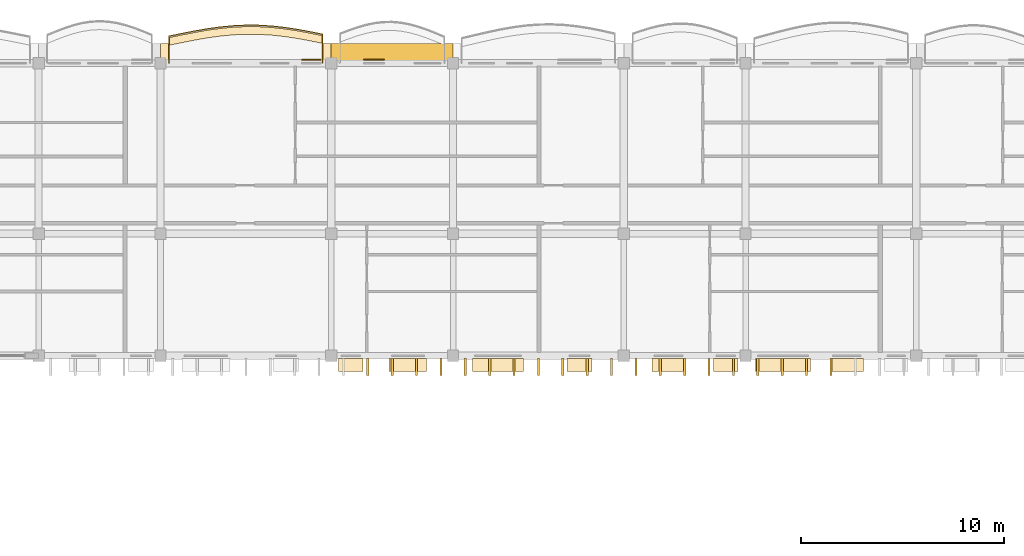
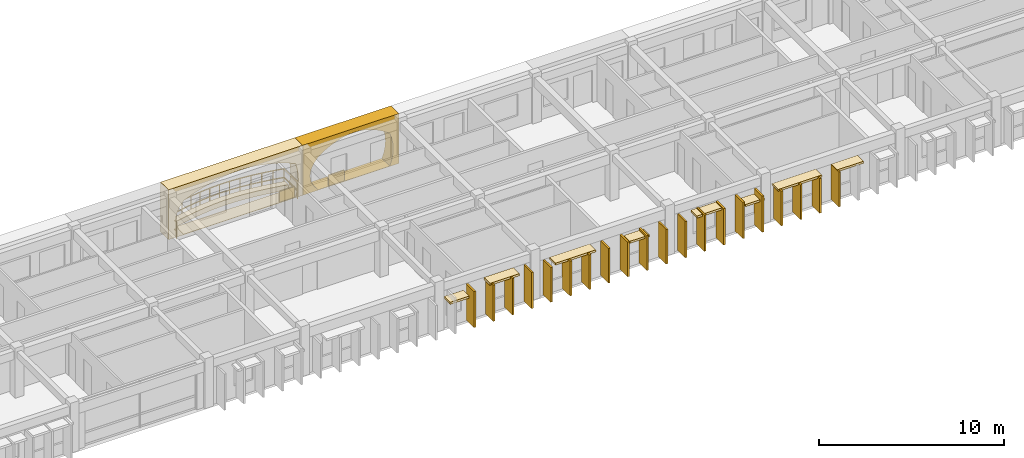
# One storey, part 59 of 68: 33 coverings, 1 railing.
"""IFC4 building model written with IfcOpenShell, lengths in metres."""

from ifc_helpers import new_model, si_unit, direction, frame, origin, origin_2d, place, context, subcontext, project, spatial, polyline, rectangle, outline, extrude, material, layer, layer_set, type_object, element, save


model = new_model("IFC4")

# Units and contexts
model_context = context("Model", 3, precision=1e-05, world=origin(), true_north=direction((0.0, 1.0)))
body_context = subcontext(model_context, "Body", "Model", "MODEL_VIEW")
ifc_project = project(units=[si_unit("LENGTHUNIT", "METRE"), si_unit("AREAUNIT", "SQUARE_METRE"), si_unit("VOLUMEUNIT", "CUBIC_METRE"), si_unit("PLANEANGLEUNIT", "RADIAN"), si_unit("MASSUNIT", "GRAM", prefix="KILO"), si_unit("THERMODYNAMICTEMPERATUREUNIT", "KELVIN")], contexts=[model_context])

# Site, building, storey
site_placement = place(None, origin())
site = spatial("IfcSite", under=ifc_project, at=site_placement, CompositionType="ELEMENT")
building_placement = place(site_placement, origin())
building = spatial("IfcBuilding", under=site, at=building_placement, Name="Thalorik Housing Commons", CompositionType="ELEMENT")
storey_placement = place(building_placement, frame((0.0, 0.0, 24.60009765625)))
storey = spatial("IfcBuildingStorey", under=building, at=storey_placement, Name="L07", CompositionType="ELEMENT", Elevation=24.60009765625)

# Coverings
ifc_material_1 = material(Name="Precast concrete C40/50", Category="concrete")
ifc_layer_1 = layer(ifc_material_1, 0.85009765625, Name="Precast concrete C40/50", Category="concrete")
ifc_layer_set_1 = layer_set([ifc_layer_1], Name="Precast concrete C40/50")
covering_type_1 = type_object("IfcCoveringType", Name="ARC-CLD-CUSH-850", PredefinedType="CLADDING", material=ifc_layer_set_1)
covering_1_placement = place(storey_placement, frame((112.199951171875, 124.155029296875, 0.0), z_axis=(0.0, 0.0, 1.0), x_axis=(-1.0, 0.0, 0.0)))
element("IfcCovering", 1, at=covering_1_placement, inside=storey, type_object=covering_type_1, Name="L07 White Precast Curved Cushion Bay Frame 2569", PredefinedType="CLADDING", context=body_context, shape_type="SweptSolid", body=[
    extrude(outline(polyline([(-3.0, 0.0), (3.0, 0.0), (3.0, 3.300048828125), (-3.0, 3.300048828125), (-3.0, 0.0)]), holes=[polyline([(2.0400390625, 0.02490234375), (2.3232421875, 0.387451171875), (2.493408203125, 0.75), (2.550048828125, 1.112548828125), (2.493408203125, 1.47509765625), (2.3232421875, 1.83740234375), (2.0400390625, 2.199951171875), (1.66748046875, 2.455810546875), (1.294921875, 2.656494140625), (0.922607421875, 2.819091796875), (0.550048828125, 2.940185546875), (0.177490234375, 3.014892578125), (-0.195068359375, 3.0400390625), (-0.5673828125, 3.014892578125), (-0.93994140625, 2.940185546875), (-1.3125, 2.819091796875), (-1.68505859375, 2.656494140625), (-2.0576171875, 2.455810546875), (-2.429931640625, 2.199951171875), (-2.55029296875, 1.83740234375), (-2.62255859375, 1.47509765625), (-2.646484375, 1.112548828125), (-2.62255859375, 0.75), (-2.55029296875, 0.387451171875), (-2.429931640625, 0.02490234375), (2.0400390625, 0.02490234375)])]), frame((0.0, 0.425048828125, 0.0), z_axis=(0.0, -1.0, 0.0), x_axis=(1.0, 0.0, 0.0)), (0.0, 0.0, 1.0), 0.85009765625),
])
covering_2_placement = place(storey_placement, frame((105.0, 124.155029296875, 0.0), z_axis=(0.0, 0.0, 1.0), x_axis=(-1.0, 0.0, 0.0)))
element("IfcCovering", 2, at=covering_2_placement, inside=storey, type_object=covering_type_1, Name="L07 White Precast Curved Cushion Bay Frame 2571", PredefinedType="CLADDING", context=body_context, shape_type="SweptSolid", body=[
    extrude(outline(polyline([(-4.199951171875, 0.0), (4.199951171875, 0.0), (4.199951171875, 3.300048828125), (-4.199951171875, 3.300048828125), (-4.199951171875, 0.0)]), holes=[polyline([(3.239990234375, 0.02490234375), (3.523193359375, 0.3974609375), (3.693359375, 0.77001953125), (3.75, 1.142578125), (3.693359375, 1.514892578125), (3.523193359375, 1.887451171875), (3.239990234375, 2.260009765625), (2.65771484375, 2.497314453125), (2.07568359375, 2.683837890625), (1.493408203125, 2.8349609375), (0.911376953125, 2.947265625), (0.3291015625, 3.0166015625), (-0.253173828125, 3.0400390625), (-0.835205078125, 3.0166015625), (-1.41748046875, 2.947265625), (-1.99951171875, 2.8349609375), (-2.581787109375, 2.683837890625), (-3.1640625, 2.497314453125), (-3.74609375, 2.260009765625), (-3.842041015625, 1.887451171875), (-3.8994140625, 1.514892578125), (-3.918701171875, 1.142578125), (-3.8994140625, 0.77001953125), (-3.842041015625, 0.3974609375), (-3.74609375, 0.02490234375), (3.239990234375, 0.02490234375)])]), frame((0.0, 0.425048828125, 0.0), z_axis=(0.0, -1.0, 0.0), x_axis=(1.0, 0.0, 0.0)), (0.0, 0.0, 1.0), 0.85009765625),
])
ifc_layer_2 = layer(ifc_material_1, 0.85009765625, Name="Precast concrete C40/50", Category="concrete")
ifc_layer_set_2 = layer_set([ifc_layer_2], Name="Precast concrete C40/50")
covering_type_2 = type_object("IfcCoveringType", Name="ARC-CLD-FIN-850", PredefinedType="CLADDING", material=ifc_layer_set_2)
for number, where, z_axis, x_axis, name in (
    (3, (111.0, 108.64501953125, 0.039794921875), (0.0, 0.0, 1.0), (1.0, 0.0, 0.0), "L07 Courtyard Precast Vertical Brise-Soleil Fin 2613"),
    (4, (112.199951171875, 108.64501953125, 0.039794921875), (0.0, 0.0, 1.0), (1.0, 0.0, 0.0), "L07 Courtyard Precast Vertical Brise-Soleil Fin 2614"),
    (5, (113.39990234375, 108.64501953125, 0.039794921875), (0.0, 0.0, 1.0), (1.0, 0.0, 0.0), "L07 Courtyard Precast Vertical Brise-Soleil Fin 2615"),
    (6, (114.60009765625, 108.64501953125, 0.039794921875), (0.0, 0.0, 1.0), (1.0, 0.0, 0.0), "L07 Courtyard Precast Vertical Brise-Soleil Fin 2616"),
):
    element("IfcCovering", number, at=place(storey_placement, frame(where, z_axis=z_axis, x_axis=x_axis)), inside=storey, type_object=covering_type_2, Name=name, PredefinedType="CLADDING", context=body_context, shape_type="SweptSolid", body=[
        extrude(rectangle(XDim=0.110107421875, YDim=0.85009765625, at=origin_2d()), origin(), (0.0, 0.0, 1.0), 2.39501953125),
    ])
for number, where, z_axis, x_axis, name in (
    (7, (115.800048828125, 108.64501953125, 0.0400390625), (0.0, 0.0, 1.0), (1.0, 0.0, 0.0), "L07 Courtyard Precast Vertical Brise-Soleil Fin 2619"),
    (8, (117.0, 108.64501953125, 0.0400390625), (0.0, 0.0, 1.0), (1.0, 0.0, 0.0), "L07 Courtyard Precast Vertical Brise-Soleil Fin 2620"),
    (9, (118.199951171875, 108.64501953125, 0.0400390625), (0.0, 0.0, 1.0), (1.0, 0.0, 0.0), "L07 Courtyard Precast Vertical Brise-Soleil Fin 2621"),
    (10, (119.39990234375, 108.64501953125, 0.0400390625), (0.0, 0.0, 1.0), (1.0, 0.0, 0.0), "L07 Courtyard Precast Vertical Brise-Soleil Fin 2622"),
    (11, (120.60009765625, 108.64501953125, 0.0400390625), (0.0, 0.0, 1.0), (1.0, 0.0, 0.0), "L07 Courtyard Precast Vertical Brise-Soleil Fin 2623"),
    (12, (121.800048828125, 108.64501953125, 0.0400390625), (0.0, 0.0, 1.0), (1.0, 0.0, 0.0), "L07 Courtyard Precast Vertical Brise-Soleil Fin 2624"),
    (13, (123.0, 108.64501953125, 0.0400390625), (0.0, 0.0, 1.0), (1.0, 0.0, 0.0), "L07 Courtyard Precast Vertical Brise-Soleil Fin 2625"),
):
    element("IfcCovering", number, at=place(storey_placement, frame(where, z_axis=z_axis, x_axis=x_axis)), inside=storey, type_object=covering_type_2, Name=name, PredefinedType="CLADDING", context=body_context, shape_type="SweptSolid", body=[
        extrude(rectangle(XDim=0.110107421875, YDim=0.85009765625, at=origin_2d()), origin(), (0.0, 0.0, 1.0), 2.294921875),
    ])
for number, where, z_axis, x_axis, name in (
    (14, (124.199951171875, 108.64501953125, 0.039794921875), (0.0, 0.0, 1.0), (1.0, 0.0, 0.0), "L07 Courtyard Precast Vertical Brise-Soleil Fin 2628"),
    (15, (125.39990234375, 108.64501953125, 0.039794921875), (0.0, 0.0, 1.0), (1.0, 0.0, 0.0), "L07 Courtyard Precast Vertical Brise-Soleil Fin 2629"),
    (16, (126.60009765625, 108.64501953125, 0.039794921875), (0.0, 0.0, 1.0), (1.0, 0.0, 0.0), "L07 Courtyard Precast Vertical Brise-Soleil Fin 2630"),
    (17, (127.800048828125, 108.64501953125, 0.039794921875), (0.0, 0.0, 1.0), (1.0, 0.0, 0.0), "L07 Courtyard Precast Vertical Brise-Soleil Fin 2631"),
    (18, (129.0, 108.64501953125, 0.039794921875), (0.0, 0.0, 1.0), (1.0, 0.0, 0.0), "L07 Courtyard Precast Vertical Brise-Soleil Fin 2632"),
):
    element("IfcCovering", number, at=place(storey_placement, frame(where, z_axis=z_axis, x_axis=x_axis)), inside=storey, type_object=covering_type_2, Name=name, PredefinedType="CLADDING", context=body_context, shape_type="SweptSolid", body=[
        extrude(rectangle(XDim=0.110107421875, YDim=0.85009765625, at=origin_2d()), origin(), (0.0, 0.0, 1.0), 2.39501953125),
    ])
for number, where, z_axis, x_axis, name in (
    (19, (130.199951171875, 108.64501953125, 0.0400390625), (0.0, 0.0, 1.0), (1.0, 0.0, 0.0), "L07 Courtyard Precast Vertical Brise-Soleil Fin 2635"),
    (20, (131.39990234375, 108.64501953125, 0.0400390625), (0.0, 0.0, 1.0), (1.0, 0.0, 0.0), "L07 Courtyard Precast Vertical Brise-Soleil Fin 2636"),
    (21, (132.60009765625, 108.64501953125, 0.0400390625), (0.0, 0.0, 1.0), (1.0, 0.0, 0.0), "L07 Courtyard Precast Vertical Brise-Soleil Fin 2637"),
    (22, (133.800048828125, 108.64501953125, 0.0400390625), (0.0, 0.0, 1.0), (1.0, 0.0, 0.0), "L07 Courtyard Precast Vertical Brise-Soleil Fin 2638"),
):
    element("IfcCovering", number, at=place(storey_placement, frame(where, z_axis=z_axis, x_axis=x_axis)), inside=storey, type_object=covering_type_2, Name=name, PredefinedType="CLADDING", context=body_context, shape_type="SweptSolid", body=[
        extrude(rectangle(XDim=0.110107421875, YDim=0.85009765625, at=origin_2d()), origin(), (0.0, 0.0, 1.0), 2.294921875),
    ])
ifc_layer_3 = layer(ifc_material_1, 0.64990234375, Name="Precast concrete C40/50", Category="concrete")
ifc_layer_set_3 = layer_set([ifc_layer_3], Name="Precast concrete C40/50")
covering_type_3 = type_object("IfcCoveringType", Name="ARC-CLD-HOOD-650", PredefinedType="CLADDING", material=ifc_layer_set_3)
covering_3_placement = place(storey_placement, frame((110.1650390625, 108.7451171875, 1.93994140625), z_axis=(0.0, 0.0, 1.0), x_axis=(1.0, 0.0, 0.0)))
element("IfcCovering", 23, at=covering_3_placement, inside=storey, type_object=covering_type_3, Name="L07 Courtyard Precast Window Sun-Hood 2617", PredefinedType="CLADDING", context=body_context, shape_type="SweptSolid", body=[
    extrude(rectangle(XDim=1.18994140625, YDim=0.64990234375, at=origin_2d()), origin(), (0.0, 0.0, 1.0), 0.139892578125),
])
covering_4_placement = place(storey_placement, frame((112.97509765625, 108.7451171875, 2.3251953125), z_axis=(0.0, 0.0, 1.0), x_axis=(1.0, 0.0, 0.0)))
element("IfcCovering", 24, at=covering_4_placement, inside=storey, type_object=covering_type_3, Name="L07 Courtyard Precast Window Sun-Hood 2618", PredefinedType="CLADDING", context=body_context, shape_type="SweptSolid", body=[
    extrude(rectangle(XDim=1.840087890625, YDim=0.64990234375, at=origin_2d()), origin(), (0.0, 0.0, 1.0), 0.139892578125),
])
covering_5_placement = place(storey_placement, frame((117.409912109375, 108.7451171875, 2.22509765625), z_axis=(0.0, 0.0, 1.0), x_axis=(1.0, 0.0, 0.0)))
element("IfcCovering", 25, at=covering_5_placement, inside=storey, type_object=covering_type_3, Name="L07 Courtyard Precast Window Sun-Hood 2626", PredefinedType="CLADDING", context=body_context, shape_type="SweptSolid", body=[
    extrude(rectangle(XDim=2.52001953125, YDim=0.64990234375, at=origin_2d()), origin(), (0.0, 0.0, 1.0), 0.139892578125),
])
covering_6_placement = place(storey_placement, frame((121.419921875, 108.7451171875, 2.0400390625), z_axis=(0.0, 0.0, 1.0), x_axis=(1.0, 0.0, 0.0)))
element("IfcCovering", 26, at=covering_6_placement, inside=storey, type_object=covering_type_3, Name="L07 Courtyard Precast Window Sun-Hood 2627", PredefinedType="CLADDING", context=body_context, shape_type="SweptSolid", body=[
    extrude(rectangle(XDim=1.239990234375, YDim=0.64990234375, at=origin_2d()), origin(), (0.0, 0.0, 1.0), 0.139892578125),
])
covering_7_placement = place(storey_placement, frame((125.8076171875, 108.7451171875, 2.23974609375), z_axis=(0.0, 0.0, 1.0), x_axis=(1.0, 0.0, 0.0)))
element("IfcCovering", 27, at=covering_7_placement, inside=storey, type_object=covering_type_3, Name="L07 Courtyard Precast Window Sun-Hood 2633", PredefinedType="CLADDING", context=body_context, shape_type="SweptSolid", body=[
    extrude(rectangle(XDim=1.639892578125, YDim=0.64990234375, at=origin_2d()), origin(), (0.0, 0.0, 1.0), 0.139892578125),
])
covering_8_placement = place(storey_placement, frame((128.617431640625, 108.7451171875, 1.93994140625), z_axis=(0.0, 0.0, 1.0), x_axis=(1.0, 0.0, 0.0)))
element("IfcCovering", 28, at=covering_8_placement, inside=storey, type_object=covering_type_3, Name="L07 Courtyard Precast Window Sun-Hood 2634", PredefinedType="CLADDING", context=body_context, shape_type="SweptSolid", body=[
    extrude(rectangle(XDim=1.18994140625, YDim=0.64990234375, at=origin_2d()), origin(), (0.0, 0.0, 1.0), 0.139892578125),
])
covering_9_placement = place(storey_placement, frame((131.4326171875, 108.7451171875, 2.22509765625), z_axis=(0.0, 0.0, 1.0), x_axis=(1.0, 0.0, 0.0)))
element("IfcCovering", 29, at=covering_9_placement, inside=storey, type_object=covering_type_3, Name="L07 Courtyard Precast Window Sun-Hood 2642", PredefinedType="CLADDING", context=body_context, shape_type="SweptSolid", body=[
    extrude(rectangle(XDim=2.719970703125, YDim=0.64990234375, at=origin_2d()), origin(), (0.0, 0.0, 1.0), 0.139892578125),
])
covering_10_placement = place(storey_placement, frame((134.577392578125, 108.7451171875, 2.22509765625), z_axis=(0.0, 0.0, 1.0), x_axis=(1.0, 0.0, 0.0)))
element("IfcCovering", 30, at=covering_10_placement, inside=storey, type_object=covering_type_3, Name="L07 Courtyard Precast Window Sun-Hood 2643", PredefinedType="CLADDING", context=body_context, shape_type="SweptSolid", body=[
    extrude(rectangle(XDim=1.639892578125, YDim=0.64990234375, at=origin_2d()), origin(), (0.0, 0.0, 1.0), 0.139892578125),
])
ifc_material_2 = material(Name="Terracotta red mineral fibre-cement panel", Category="masonry")
ifc_layer_4 = layer(ifc_material_2, 0.054931640625, Name="Terracotta red mineral fibre-cement panel", Category="masonry")
ifc_layer_set_4 = layer_set([ifc_layer_4], Name="Terracotta red mineral fibre-cement panel")
covering_type_4 = type_object("IfcCoveringType", Name="ARC-CLD-RED-55", PredefinedType="CLADDING", material=ifc_layer_set_4)
covering_11_placement = place(storey_placement, frame((108.22119140625, 123.762451171875, 0.0498046875), z_axis=(0.0, 0.0, 1.0), x_axis=(-1.0, 0.0, 0.0)))
element("IfcCovering", 31, at=covering_11_placement, inside=storey, type_object=covering_type_4, Name="L07 De Stijl Recessed Window Spandrel 2572", PredefinedType="CLADDING", context=body_context, shape_type="SweptSolid", body=[
    extrude(rectangle(XDim=0.949951171875, YDim=0.054931640625, at=origin_2d()), origin(), (0.0, 0.0, 1.0), 0.699951171875),
])
ifc_material_3 = material(Name="Mineral ochre architectural terracotta panel", Category="masonry")
ifc_layer_5 = layer(ifc_material_3, 0.06494140625, Name="Mineral ochre architectural terracotta panel", Category="masonry")
ifc_layer_set_5 = layer_set([ifc_layer_5], Name="Mineral ochre architectural terracotta panel")
covering_type_5 = type_object("IfcCoveringType", Name="ARC-CLD-YEL-65", PredefinedType="CLADDING", material=ifc_layer_set_5)
covering_12_placement = place(storey_placement, frame((111.31005859375, 123.767578125, 0.0498046875), z_axis=(0.0, 0.0, 1.0), x_axis=(-1.0, 0.0, 0.0)))
element("IfcCovering", 32, at=covering_12_placement, inside=storey, type_object=covering_type_5, Name="L07 De Stijl Recessed Window Spandrel 2570", PredefinedType="CLADDING", context=body_context, shape_type="SweptSolid", body=[
    extrude(rectangle(XDim=1.0, YDim=0.06494140625, at=origin_2d()), origin(), (0.0, 0.0, 1.0), 0.699951171875),
])
ifc_material_4 = material(Name="Planted vegetated substrate and terracotta trough", Category="masonry")
ifc_layer_6 = layer(ifc_material_4, 0.340087890625, Name="Planted vegetated substrate and terracotta trough", Category="masonry")
ifc_layer_set_6 = layer_set([ifc_layer_6], Name="Planted vegetated substrate and terracotta trough")
covering_type_6 = type_object("IfcCoveringType", Name="ARC-COV-PLANTER", PredefinedType="USERDEFINED", material=ifc_layer_set_6)
covering_13_placement = place(storey_placement, origin())
element("IfcCovering", 33, at=covering_13_placement, inside=storey, type_object=covering_type_6, Name="L07 Balcony Slab-Edge Planted Trough 5505", ObjectType="PLANTER", PredefinedType="USERDEFINED", context=body_context, shape_type="SweptSolid", body=[
    extrude(outline(polyline([(108.780029296875, 124.952880859375), (108.14990234375, 125.08056640625), (107.52001953125, 125.19580078125), (106.889892578125, 125.29052734375), (106.260009765625, 125.359130859375), (105.6298828125, 125.396728515625), (105.0, 125.401123046875), (104.3701171875, 125.3720703125), (103.739990234375, 125.3115234375), (103.110107421875, 125.2236328125), (102.47998046875, 125.114501953125), (101.85009765625, 124.9912109375), (101.219970703125, 124.8623046875), (101.219970703125, 124.482177734375), (101.85009765625, 124.611328125), (102.47998046875, 124.734619140625), (103.110107421875, 124.84375), (103.739990234375, 124.931396484375), (104.3701171875, 124.991943359375), (105.0, 125.02099609375), (105.6298828125, 125.0166015625), (106.260009765625, 124.97900390625), (106.889892578125, 124.91064453125), (107.52001953125, 124.815673828125), (108.14990234375, 124.70068359375), (108.780029296875, 124.572998046875), (108.780029296875, 124.952880859375)])), origin(), (0.0, 0.0, 1.0), 0.33984375),
])

# Railing
ifc_material_5 = material(Name="Steel S355", Category="steel")
railing_type = type_object("IfcRailingType", Name="ARC-RL-BAL-115", PredefinedType="BALUSTRADE", material=ifc_material_5)
railing_placement = place(storey_placement, frame((108.780029296875, 123.60009765625, 0.0)))
element("IfcRailing", 34, at=railing_placement, inside=storey, type_object=railing_type, Name="L07 Cushion Balcony Guardrail 189", PredefinedType="BALUSTRADE", context=body_context, shape_type="SweptSolid", body=[
    extrude(rectangle(XDim=0.050048828125, YDim=0.050048828125, at=origin_2d()), frame((0.0, 0.0, 1.125), z_axis=(0.0, 1.0, 0.0), x_axis=(-1.0, 0.0, 0.0)), (0.0, 0.0, 1.0), 1.4228515625),
    extrude(rectangle(XDim=0.050048828125, YDim=0.050048828125, at=origin_2d()), frame((0.0, 0.0, 0.5498046875), z_axis=(0.0, 1.0, 0.0), x_axis=(-1.0, 0.0, 0.0)), (0.0, 0.0, 1.0), 1.4228515625),
    extrude(rectangle(XDim=0.050048828125, YDim=0.050048828125, at=origin_2d()), frame((0.0, 1.4228515625, 1.125), z_axis=(-0.980080963484, 0.198598350989, 0.0), x_axis=(-0.198598350989, -0.980080963484, 0.0)), (0.0, 0.0, 1.0), 0.642822265625),
    extrude(rectangle(XDim=0.050048828125, YDim=0.050048828125, at=origin_2d()), frame((0.0, 1.4228515625, 0.5498046875), z_axis=(-0.980080963484, 0.198598350989, 0.0), x_axis=(-0.198598350989, -0.980080963484, 0.0)), (0.0, 0.0, 1.0), 0.642822265625),
    extrude(rectangle(XDim=0.050048828125, YDim=0.050048828125, at=origin_2d()), frame((-0.630126953125, 1.550537109375, 1.125), z_axis=(-0.983741542598, 0.1795900258, 0.0), x_axis=(-0.1795900258, -0.983741542598, 0.0)), (0.0, 0.0, 1.0), 0.640380859375),
    extrude(rectangle(XDim=0.050048828125, YDim=0.050048828125, at=origin_2d()), frame((-0.630126953125, 1.550537109375, 0.5498046875), z_axis=(-0.983741542598, 0.1795900258, 0.0), x_axis=(-0.1795900258, -0.983741542598, 0.0)), (0.0, 0.0, 1.0), 0.640380859375),
    extrude(rectangle(XDim=0.050048828125, YDim=0.050048828125, at=origin_2d()), frame((-1.260009765625, 1.66552734375, 1.125), z_axis=(-0.988832133664, 0.149033591629, 0.0), x_axis=(-0.149033591629, -0.988832133664, 0.0)), (0.0, 0.0, 1.0), 0.63720703125),
    extrude(rectangle(XDim=0.050048828125, YDim=0.050048828125, at=origin_2d()), frame((-1.260009765625, 1.66552734375, 0.5498046875), z_axis=(-0.988832133664, 0.149033591629, 0.0), x_axis=(-0.149033591629, -0.988832133664, 0.0)), (0.0, 0.0, 1.0), 0.63720703125),
    extrude(rectangle(XDim=0.050048828125, YDim=0.050048828125, at=origin_2d()), frame((-1.89013671875, 1.760498046875, 1.125), z_axis=(-0.994121043518, 0.108274423732, 0.0), x_axis=(-0.108274423732, -0.994121043518, 0.0)), (0.0, 0.0, 1.0), 0.633544921875),
    extrude(rectangle(XDim=0.050048828125, YDim=0.050048828125, at=origin_2d()), frame((-1.89013671875, 1.760498046875, 0.5498046875), z_axis=(-0.994121043518, 0.108274423732, 0.0), x_axis=(-0.108274423732, -0.994121043518, 0.0)), (0.0, 0.0, 1.0), 0.633544921875),
    extrude(rectangle(XDim=0.050048828125, YDim=0.050048828125, at=origin_2d()), frame((-2.52001953125, 1.8291015625, 1.125), z_axis=(-0.998224675619, 0.059560867898, 0.0), x_axis=(-0.059560867898, -0.998224675619, 0.0)), (0.0, 0.0, 1.0), 0.63134765625),
    extrude(rectangle(XDim=0.050048828125, YDim=0.050048828125, at=origin_2d()), frame((-2.52001953125, 1.8291015625, 0.5498046875), z_axis=(-0.998224675619, 0.059560867898, 0.0), x_axis=(-0.059560867898, -0.998224675619, 0.0)), (0.0, 0.0, 1.0), 0.63134765625),
    extrude(rectangle(XDim=0.050048828125, YDim=0.050048828125, at=origin_2d()), frame((-3.150146484375, 1.86669921875, 1.125), z_axis=(-0.999975663409, 0.006976574396, 0.0), x_axis=(-0.006976574396, -0.999975663409, 0.0)), (0.0, 0.0, 1.0), 0.6298828125),
    extrude(rectangle(XDim=0.050048828125, YDim=0.050048828125, at=origin_2d()), frame((-3.150146484375, 1.86669921875, 0.5498046875), z_axis=(-0.999975663409, 0.006976574396, 0.0), x_axis=(-0.006976574396, -0.999975663409, 0.0)), (0.0, 0.0, 1.0), 0.6298828125),
    extrude(rectangle(XDim=0.050048828125, YDim=0.050048828125, at=origin_2d()), frame((-3.780029296875, 1.87109375, 1.125), z_axis=(-0.998920086078, -0.046461399352, 0.0), x_axis=(0.046461399352, -0.998920086078, 0.0)), (0.0, 0.0, 1.0), 0.630615234375),
    extrude(rectangle(XDim=0.050048828125, YDim=0.050048828125, at=origin_2d()), frame((-3.780029296875, 1.87109375, 0.5498046875), z_axis=(-0.998920086078, -0.046461399352, 0.0), x_axis=(0.046461399352, -0.998920086078, 0.0)), (0.0, 0.0, 1.0), 0.630615234375),
    extrude(rectangle(XDim=0.050048828125, YDim=0.050048828125, at=origin_2d()), frame((-4.409912109375, 1.841796875, 1.125), z_axis=(-0.995452033252, -0.095264103918, 0.0), x_axis=(0.095264103918, -0.995452033252, 0.0)), (0.0, 0.0, 1.0), 0.633056640625),
    extrude(rectangle(XDim=0.050048828125, YDim=0.050048828125, at=origin_2d()), frame((-4.409912109375, 1.841796875, 0.5498046875), z_axis=(-0.995452033252, -0.095264103918, 0.0), x_axis=(0.095264103918, -0.995452033252, 0.0)), (0.0, 0.0, 1.0), 0.633056640625),
    extrude(rectangle(XDim=0.050048828125, YDim=0.050048828125, at=origin_2d()), frame((-5.0400390625, 1.781494140625, 1.125), z_axis=(-0.990404895365, -0.138196031911, 0.0), x_axis=(0.138196031911, -0.990404895365, 0.0)), (0.0, 0.0, 1.0), 0.635986328125),
    extrude(rectangle(XDim=0.050048828125, YDim=0.050048828125, at=origin_2d()), frame((-5.0400390625, 1.781494140625, 0.5498046875), z_axis=(-0.990404895365, -0.138196031911, 0.0), x_axis=(0.138196031911, -0.990404895365, 0.0)), (0.0, 0.0, 1.0), 0.635986328125),
    extrude(rectangle(XDim=0.050048828125, YDim=0.050048828125, at=origin_2d()), frame((-5.669921875, 1.693603515625, 1.125), z_axis=(-0.985331994455, -0.170648353941, 0.0), x_axis=(0.170648353941, -0.985331994455, 0.0)), (0.0, 0.0, 1.0), 0.639404296875),
    extrude(rectangle(XDim=0.050048828125, YDim=0.050048828125, at=origin_2d()), frame((-5.669921875, 1.693603515625, 0.5498046875), z_axis=(-0.985331994455, -0.170648353941, 0.0), x_axis=(0.170648353941, -0.985331994455, 0.0)), (0.0, 0.0, 1.0), 0.639404296875),
    extrude(rectangle(XDim=0.050048828125, YDim=0.050048828125, at=origin_2d()), frame((-6.300048828125, 1.58447265625, 1.125), z_axis=(-0.981377069433, -0.192091248087, 0.0), x_axis=(0.192091248087, -0.981377069433, 0.0)), (0.0, 0.0, 1.0), 0.641845703125),
    extrude(rectangle(XDim=0.050048828125, YDim=0.050048828125, at=origin_2d()), frame((-6.300048828125, 1.58447265625, 0.5498046875), z_axis=(-0.981377069433, -0.192091248087, 0.0), x_axis=(0.192091248087, -0.981377069433, 0.0)), (0.0, 0.0, 1.0), 0.641845703125),
    extrude(rectangle(XDim=0.050048828125, YDim=0.050048828125, at=origin_2d()), frame((-6.929931640625, 1.461181640625, 1.125), z_axis=(-0.979635255397, -0.200785373927, 0.0), x_axis=(0.200785373927, -0.979635255397, 0.0)), (0.0, 0.0, 1.0), 0.643310546875),
    extrude(rectangle(XDim=0.050048828125, YDim=0.050048828125, at=origin_2d()), frame((-6.929931640625, 1.461181640625, 0.5498046875), z_axis=(-0.979635255397, -0.200785373927, 0.0), x_axis=(0.200785373927, -0.979635255397, 0.0)), (0.0, 0.0, 1.0), 0.643310546875),
    extrude(rectangle(XDim=0.050048828125, YDim=0.050048828125, at=origin_2d()), frame((-7.56005859375, 1.33203125, 1.125), z_axis=(0.0, -1.0, 0.0), x_axis=(1.0, 0.0, 0.0)), (0.0, 0.0, 1.0), 1.33203125),
    extrude(rectangle(XDim=0.050048828125, YDim=0.050048828125, at=origin_2d()), frame((-7.56005859375, 1.33203125, 0.5498046875), z_axis=(0.0, -1.0, 0.0), x_axis=(1.0, 0.0, 0.0)), (0.0, 0.0, 1.0), 1.33203125),
    extrude(rectangle(XDim=0.0419921875, YDim=0.0419921875, at=origin_2d()), origin(), (0.0, 0.0, 1.0), 1.099853515625),
    extrude(rectangle(XDim=0.0419921875, YDim=0.0419921875, at=origin_2d()), frame((0.0, 1.4228515625, 0.0)), (0.0, 0.0, 1.0), 1.099853515625),
    extrude(rectangle(XDim=0.0419921875, YDim=0.0419921875, at=origin_2d()), frame((-0.630126953125, 1.550537109375, 0.0)), (0.0, 0.0, 1.0), 1.099853515625),
    extrude(rectangle(XDim=0.0419921875, YDim=0.0419921875, at=origin_2d()), frame((-1.260009765625, 1.66552734375, 0.0)), (0.0, 0.0, 1.0), 1.099853515625),
    extrude(rectangle(XDim=0.0419921875, YDim=0.0419921875, at=origin_2d()), frame((-1.89013671875, 1.760498046875, 0.0)), (0.0, 0.0, 1.0), 1.099853515625),
    extrude(rectangle(XDim=0.0419921875, YDim=0.0419921875, at=origin_2d()), frame((-2.52001953125, 1.8291015625, 0.0)), (0.0, 0.0, 1.0), 1.099853515625),
    extrude(rectangle(XDim=0.0419921875, YDim=0.0419921875, at=origin_2d()), frame((-3.150146484375, 1.86669921875, 0.0)), (0.0, 0.0, 1.0), 1.099853515625),
    extrude(rectangle(XDim=0.0419921875, YDim=0.0419921875, at=origin_2d()), frame((-3.780029296875, 1.87109375, 0.0)), (0.0, 0.0, 1.0), 1.099853515625),
    extrude(rectangle(XDim=0.0419921875, YDim=0.0419921875, at=origin_2d()), frame((-4.409912109375, 1.841796875, 0.0)), (0.0, 0.0, 1.0), 1.099853515625),
    extrude(rectangle(XDim=0.0419921875, YDim=0.0419921875, at=origin_2d()), frame((-5.0400390625, 1.781494140625, 0.0)), (0.0, 0.0, 1.0), 1.099853515625),
    extrude(rectangle(XDim=0.0419921875, YDim=0.0419921875, at=origin_2d()), frame((-5.669921875, 1.693603515625, 0.0)), (0.0, 0.0, 1.0), 1.099853515625),
    extrude(rectangle(XDim=0.0419921875, YDim=0.0419921875, at=origin_2d()), frame((-6.300048828125, 1.58447265625, 0.0)), (0.0, 0.0, 1.0), 1.099853515625),
    extrude(rectangle(XDim=0.0419921875, YDim=0.0419921875, at=origin_2d()), frame((-6.929931640625, 1.461181640625, 0.0)), (0.0, 0.0, 1.0), 1.099853515625),
    extrude(rectangle(XDim=0.0419921875, YDim=0.0419921875, at=origin_2d()), frame((-7.56005859375, 1.33203125, 0.0)), (0.0, 0.0, 1.0), 1.099853515625),
    extrude(rectangle(XDim=0.0419921875, YDim=0.0419921875, at=origin_2d()), frame((-7.56005859375, 0.0, 0.0)), (0.0, 0.0, 1.0), 1.099853515625),
])

save(model, "model.ifc")
